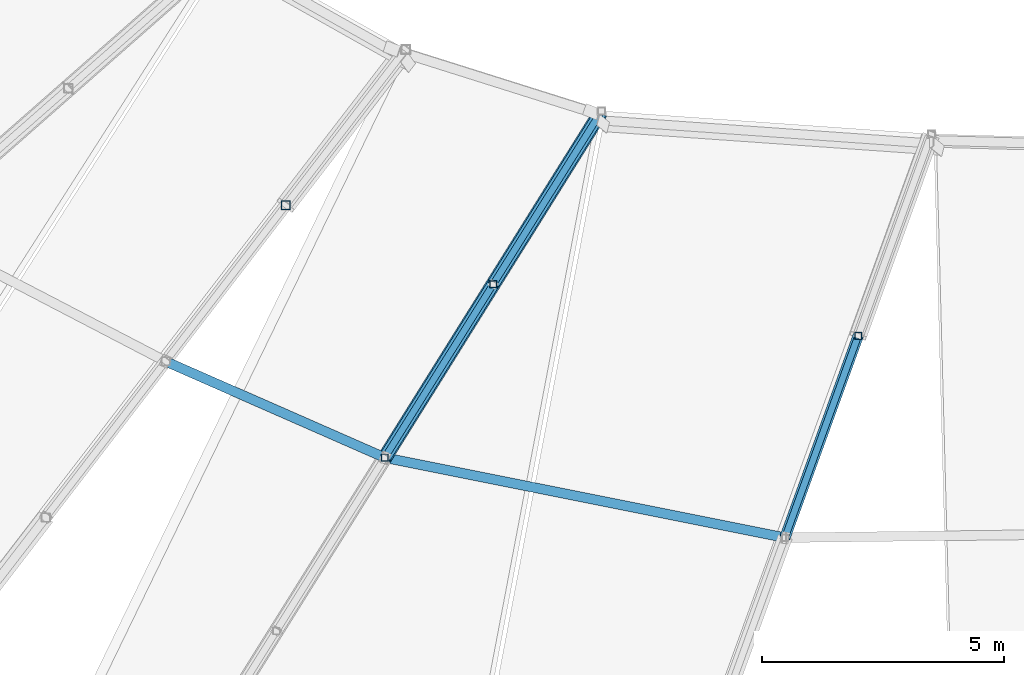
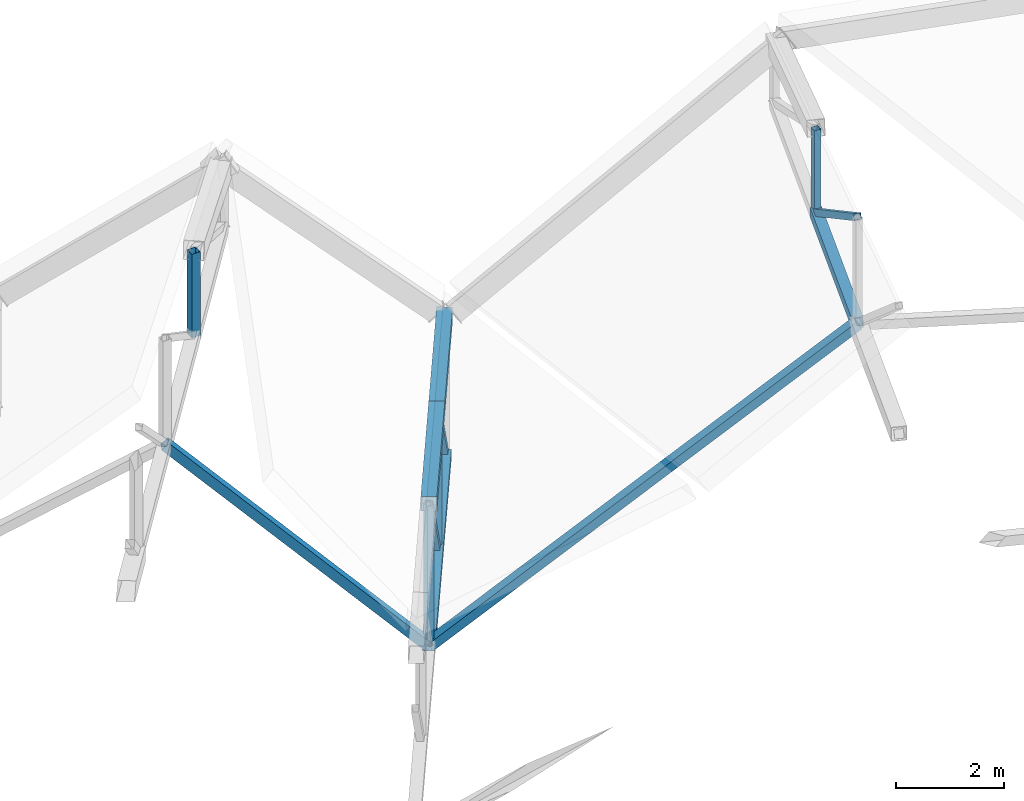
# One storey, part 42 of 344: 14 members.
"""IFC4 building model written with IfcOpenShell, lengths in metres."""

from ifc_helpers import new_model, si_unit, direction, frame, origin, origin_2d, place, context, subcontext, project, spatial, hollow_rectangle, extrude, material, material_profile, profile_set, type_object, element, save


model = new_model("IFC4")

# Units and contexts
model_context = context("Model", 3, precision=1e-05, world=origin(), true_north=direction((0.0, 1.0)))
body_context = subcontext(model_context, "Body", "Model", "MODEL_VIEW")
ifc_project = project(units=[si_unit("LENGTHUNIT", "METRE"), si_unit("AREAUNIT", "SQUARE_METRE"), si_unit("VOLUMEUNIT", "CUBIC_METRE"), si_unit("PLANEANGLEUNIT", "RADIAN"), si_unit("MASSUNIT", "GRAM", prefix="KILO")], contexts=[model_context])

# Site, building, storey
site_placement = place(None, origin())
site = spatial("IfcSite", under=ifc_project, at=site_placement, CompositionType="ELEMENT")
building_placement = place(site_placement, origin())
building = spatial("IfcBuilding", under=site, at=building_placement, Name="Meseta Stadium", CompositionType="ELEMENT")
storey_placement = place(building_placement, frame((0.0, 0.0, 24.0)))
storey = spatial("IfcBuildingStorey", under=building, at=storey_placement, Name="L04", CompositionType="ELEMENT", Elevation=24.0)

# Members
ifc_material_1 = material(Name="Steel S355", Category="steel")
ifc_material_profile_1 = material_profile(ifc_material_1, hollow_rectangle(XDim=0.139892578125, YDim=0.139892578125, WallThickness=0.0048828125, at=origin_2d()), Name="SHS 140x140x5")
ifc_profile_set_1 = profile_set([ifc_material_profile_1], Name="Steel S355")
member_type_1 = type_object("IfcMemberType", Name="SHS 140x140x5 diagonal", PredefinedType="BRACE", material=ifc_profile_set_1)
member_1_placement = place(storey_placement, frame((-30.68212890625, -65.100341796875, -0.85302734375), z_axis=(-0.38565285101, -0.616673984515, 0.686283524012), x_axis=(0.847855154969, -0.53022790967, 0.0)))
element("IfcMember", 1, at=member_1_placement, inside=storey, type_object=member_type_1, Name="ROOF TRUSS RT-43 diagonal", PredefinedType="BRACE", context=body_context, shape_type="SweptSolid", body=[
    extrude(hollow_rectangle(XDim=0.139892578125, YDim=0.139892578125, WallThickness=0.0048828125, at=origin_2d()), origin(), (0.0, 0.0, 1.0), 5.797607421875),
])
member_2_placement = place(storey_placement, frame((-32.91796875, -68.675537109375, -0.07421875), z_axis=(-0.385662865992, -0.616647886735, 0.686301346043), x_axis=(0.847838876292, -0.530253939021, 0.0)))
element("IfcMember", 2, at=member_2_placement, inside=storey, type_object=member_type_1, Name="ROOF TRUSS RT-43 diagonal", PredefinedType="BRACE", context=body_context, shape_type="SweptSolid", body=[
    extrude(hollow_rectangle(XDim=0.139892578125, YDim=0.139892578125, WallThickness=0.0048828125, at=origin_2d()), origin(), (0.0, 0.0, 1.0), 5.79736328125),
])
member_3_placement = place(storey_placement, frame((-25.390380859375, -69.7392578125, 5.589111328125), z_axis=(-0.284060066981, -0.78263414382, 0.55388958762), x_axis=(0.939999305221, -0.341176356426, 0.0)))
element("IfcMember", 3, at=member_3_placement, inside=storey, type_object=member_type_1, Name="ROOF TRUSS RT-44 diagonal", PredefinedType="BRACE", context=body_context, shape_type="SweptSolid", body=[
    extrude(hollow_rectangle(XDim=0.139892578125, YDim=0.139892578125, WallThickness=0.0048828125, at=origin_2d()), origin(), (0.0, 0.0, 1.0), 5.318359375),
])
ifc_material_2 = material(Name="Steel S355", Category="steel")
ifc_material_profile_2 = material_profile(ifc_material_2, hollow_rectangle(XDim=0.139892578125, YDim=0.139892578125, WallThickness=0.0048828125, at=origin_2d()), Name="SHS 140x140x5")
ifc_profile_set_2 = profile_set([ifc_material_profile_2], Name="Steel S355")
member_type_2 = type_object("IfcMemberType", Name="SHS 140x140x5 post", PredefinedType="POST", material=ifc_profile_set_2)
for number, where, z_axis, x_axis, name in (
    (4, (-32.91796875, -68.675537109375, -0.07421875), (0.0, 0.0, 1.0), (1.0, 0.0, 0.0), "ROOF TRUSS RT-43 post"),
    (5, (-35.15380859375, -72.25048828125, 0.70458984375), (0.0, 0.0, 1.0), (1.0, 0.0, 0.0), "ROOF TRUSS RT-43 post"),
):
    element("IfcMember", number, at=place(storey_placement, frame(where, z_axis=z_axis, x_axis=x_axis)), inside=storey, type_object=member_type_2, Name=name, PredefinedType="POST", context=body_context, shape_type="SweptSolid", body=[
        extrude(hollow_rectangle(XDim=0.139892578125, YDim=0.139892578125, WallThickness=0.0048828125, at=origin_2d()), origin(), (0.0, 0.0, 1.0), 3.199951171875),
    ])
member_4_placement = place(storey_placement, frame((-25.390380859375, -69.7392578125, 5.589111328125), z_axis=(0.0, 0.0, 1.0), x_axis=(1.0, 0.0, 0.0)))
element("IfcMember", 6, at=member_4_placement, inside=storey, type_object=member_type_2, Name="ROOF TRUSS RT-44 post", PredefinedType="POST", context=body_context, shape_type="SweptSolid", body=[
    extrude(hollow_rectangle(XDim=0.139892578125, YDim=0.139892578125, WallThickness=0.0048828125, at=origin_2d()), origin(), (0.0, 0.0, 1.0), 1.90478515625),
])
ifc_material_3 = material(Name="Steel S355", Category="steel")
ifc_material_profile_3 = material_profile(ifc_material_3, hollow_rectangle(XDim=0.179931640625, YDim=0.179931640625, WallThickness=0.00634765625, at=origin_2d()), Name="SHS 180x180x6.3")
ifc_profile_set_3 = profile_set([ifc_material_profile_3], Name="Steel S355")
member_type_3 = type_object("IfcMemberType", Name="SHS 180x180x6.3 post", PredefinedType="POST", material=ifc_profile_set_3)
member_5_placement = place(storey_placement, frame((-37.197509765625, -67.04638671875, 5.31298828125), z_axis=(0.0, 0.0, 1.0), x_axis=(1.0, 0.0, 0.0)))
element("IfcMember", 7, at=member_5_placement, inside=storey, type_object=member_type_3, Name="ROOF TRUSS RT-42 post", PredefinedType="POST", context=body_context, shape_type="SweptSolid", body=[
    extrude(hollow_rectangle(XDim=0.179931640625, YDim=0.179931640625, WallThickness=0.00634765625, at=origin_2d()), origin(), (0.0, 0.0, 1.0), 1.901611328125),
])
ifc_material_4 = material(Name="Steel S355", Category="steel")
ifc_material_profile_4 = material_profile(ifc_material_4, hollow_rectangle(XDim=0.199951171875, YDim=0.199951171875, WallThickness=0.008056640625, at=origin_2d()), Name="SHS 200x200x8")
ifc_profile_set_4 = profile_set([ifc_material_profile_4], Name="Steel S355")
member_type_4 = type_object("IfcMemberType", Name="SHS 200x200x8 strut", PredefinedType="STRUT", material=ifc_profile_set_4)
member_6_placement = place(storey_placement, frame((-39.672607421875, -70.265380859375, 5.6474609375), z_axis=(0.646916078506, -0.284190103967, -0.707626718106), x_axis=(0.402201456413, 0.915551193795, 0.0)))
element("IfcMember", 8, at=member_6_placement, inside=storey, type_object=member_type_4, Name="ROOF TRUSS STRUT RT-42/43", PredefinedType="STRUT", context=body_context, shape_type="SweptSolid", body=[
    extrude(hollow_rectangle(XDim=0.199951171875, YDim=0.199951171875, WallThickness=0.008056640625, at=origin_2d()), origin(), (0.0, 0.0, 1.0), 6.985107421875),
])
member_7_placement = place(storey_placement, frame((-35.15380859375, -72.25048828125, 0.70458984375), z_axis=(0.824365684789, -0.164931666604, 0.541496780317), x_axis=(0.196183076893, 0.980567284964, 0.0)))
element("IfcMember", 9, at=member_7_placement, inside=storey, type_object=member_type_4, Name="ROOF TRUSS STRUT RT-43/44", PredefinedType="STRUT", context=body_context, shape_type="SweptSolid", body=[
    extrude(hollow_rectangle(XDim=0.199951171875, YDim=0.199951171875, WallThickness=0.008056640625, at=origin_2d()), origin(), (0.0, 0.0, 1.0), 10.010986328125),
])
ifc_material_5 = material(Name="Steel S355", Category="steel")
ifc_material_profile_5 = material_profile(ifc_material_5, hollow_rectangle(XDim=0.219970703125, YDim=0.219970703125, WallThickness=0.008056640625, at=origin_2d()), Name="SHS 220x220x8")
ifc_profile_set_5 = profile_set([ifc_material_profile_5], Name="Steel S355")
member_type_5 = type_object("IfcMemberType", Name="SHS 220x220x8 bottom chord", PredefinedType="CHORD", material=ifc_profile_set_5)
member_8_placement = place(storey_placement, frame((-25.390380859375, -69.7392578125, 5.589111328125), z_axis=(-0.338700537674, -0.933178000454, 0.120252921989), x_axis=(0.939999305221, -0.341176356426, 0.0)))
element("IfcMember", 10, at=member_8_placement, inside=storey, type_object=member_type_5, Name="ROOF TRUSS RT-44 bottom chord", PredefinedType="CHORD", context=body_context, shape_type="SweptSolid", body=[
    extrude(hollow_rectangle(XDim=0.219970703125, YDim=0.219970703125, WallThickness=0.008056640625, at=origin_2d()), origin(), (0.0, 0.0, 1.0), 4.46044921875),
])
ifc_material_6 = material(Name="Steel S355", Category="steel")
ifc_material_profile_6 = material_profile(ifc_material_6, hollow_rectangle(XDim=0.25, YDim=0.25, WallThickness=0.010009765625, at=origin_2d()), Name="SHS 250x250x10")
ifc_profile_set_6 = profile_set([ifc_material_profile_6], Name="Steel S355")
member_type_6 = type_object("IfcMemberType", Name="SHS 250x250x10 bottom chord", PredefinedType="CHORD", material=ifc_profile_set_6)
member_9_placement = place(storey_placement, frame((-30.718505859375, -65.15869140625, -0.84033203125), z_axis=(-0.521428606051, -0.833741710529, 0.181623150825), x_axis=(0.847842857191, -0.530247573789, 0.0)))
element("IfcMember", 11, at=member_9_placement, inside=storey, type_object=member_type_6, Name="ROOF TRUSS RT-43 bottom chord", PredefinedType="CHORD", context=body_context, shape_type="SweptSolid", body=[
    extrude(hollow_rectangle(XDim=0.25, YDim=0.25, WallThickness=0.010009765625, at=origin_2d()), origin(), (0.0, 0.0, 1.0), 4.21826171875),
])
member_10_placement = place(storey_placement, frame((-32.91796875, -68.675537109375, -0.07421875), z_axis=(-0.521434116644, -0.833736598604, 0.181630796254), x_axis=(0.847838876292, -0.530253939021, 0.0)))
element("IfcMember", 12, at=member_10_placement, inside=storey, type_object=member_type_6, Name="ROOF TRUSS RT-43 bottom chord", PredefinedType="CHORD", context=body_context, shape_type="SweptSolid", body=[
    extrude(hollow_rectangle(XDim=0.25, YDim=0.25, WallThickness=0.010009765625, at=origin_2d()), origin(), (0.0, 0.0, 1.0), 4.287841796875),
])
ifc_material_7 = material(Name="Steel S355", Category="steel")
ifc_material_profile_7 = material_profile(ifc_material_7, hollow_rectangle(XDim=0.300048828125, YDim=0.300048828125, WallThickness=0.010009765625, at=origin_2d()), Name="SHS 300x300x10")
ifc_profile_set_7 = profile_set([ifc_material_profile_7], Name="Steel S355")
member_type_7 = type_object("IfcMemberType", Name="SHS 300x300x10 top chord", PredefinedType="CHORD", material=ifc_profile_set_7)
member_11_placement = place(storey_placement, frame((-30.718505859375, -65.15869140625, 2.359619140625), z_axis=(-0.521428606051, -0.833741710529, 0.181623150825), x_axis=(0.847842857191, -0.530247573789, 0.0)))
element("IfcMember", 13, at=member_11_placement, inside=storey, type_object=member_type_7, Name="ROOF TRUSS RT-43 top chord", PredefinedType="CHORD", context=body_context, shape_type="SweptSolid", body=[
    extrude(hollow_rectangle(XDim=0.300048828125, YDim=0.300048828125, WallThickness=0.010009765625, at=origin_2d()), origin(), (0.0, 0.0, 1.0), 4.21826171875),
])
member_12_placement = place(storey_placement, frame((-32.91796875, -68.675537109375, 3.125732421875), z_axis=(-0.521434116644, -0.833736598604, 0.181630796254), x_axis=(0.847838876292, -0.530253939021, 0.0)))
element("IfcMember", 14, at=member_12_placement, inside=storey, type_object=member_type_7, Name="ROOF TRUSS RT-43 top chord", PredefinedType="CHORD", context=body_context, shape_type="SweptSolid", body=[
    extrude(hollow_rectangle(XDim=0.300048828125, YDim=0.300048828125, WallThickness=0.010009765625, at=origin_2d()), origin(), (0.0, 0.0, 1.0), 4.287841796875),
])

save(model, "model.ifc")
